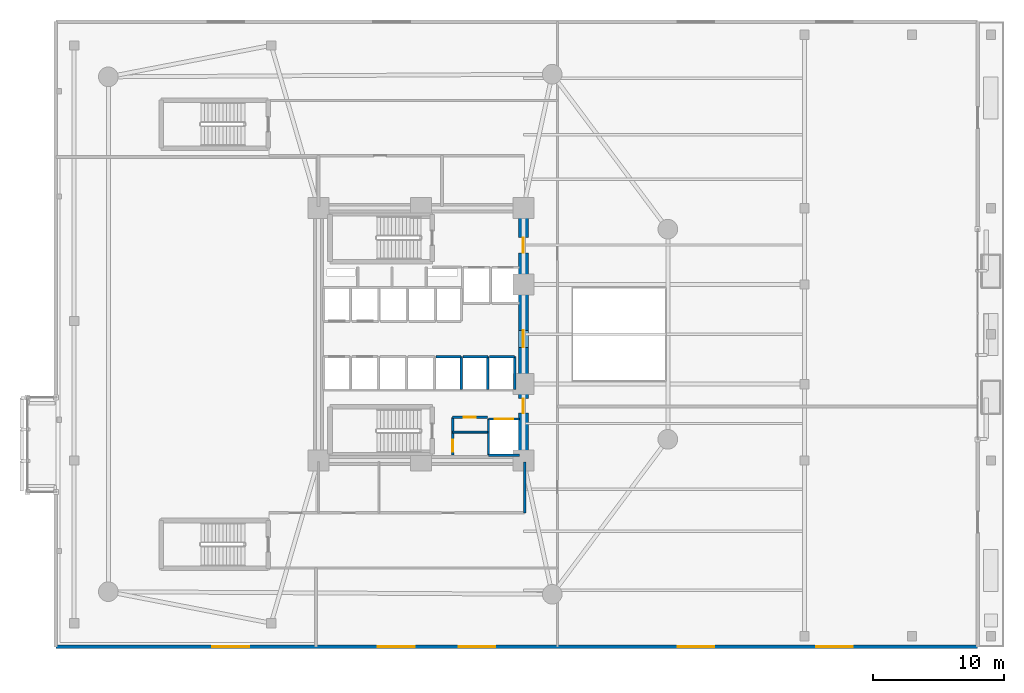
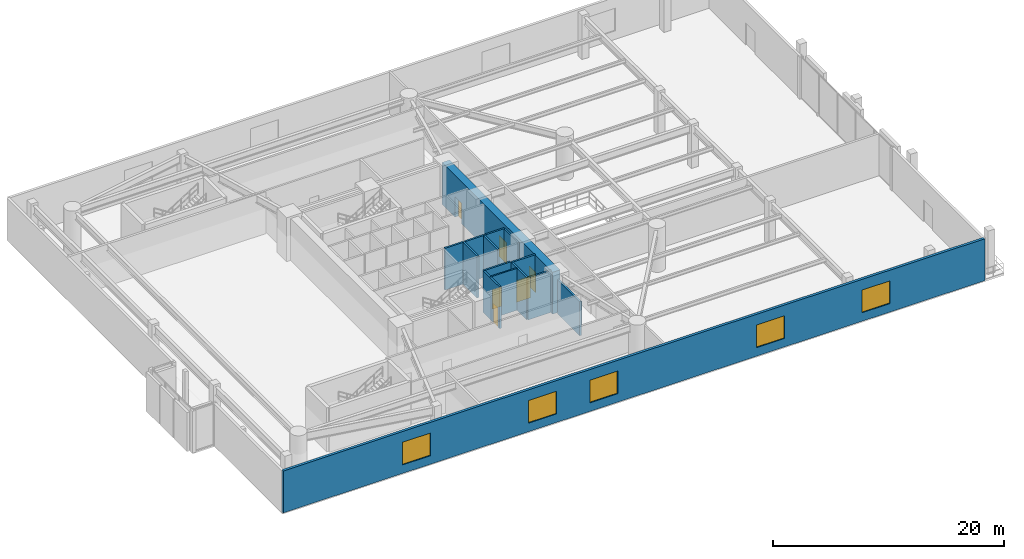
# One storey, part 10 of 16: 15 walls, 6 doors, 5 windows, 11 openings.
"""IFC4 building model written with IfcOpenShell, lengths in metres."""

import ifcopenshell
import ifcopenshell.guid

model = None  # the IFC model being written
_history = None  # IfcOwnerHistory: only IFC2X3 demands one
_inside = {}  # id of a spatial element -> (the spatial element, [elements in it])
_under = {}  # id of a project, library or spatial element -> (it, [spatial elements below it])
_declared = {}  # id of a project -> (the project, [libraries it declares])
_typed = {}  # id of a type object -> (the type object, [elements of that type])
_made_of = {}  # id of a material, layer set ... -> (it, [elements and type objects made of it])


def new_model(schema):
    """Start an empty IFC model of exactly this schema.

    Asked for "IFC4X3", IfcOpenShell would pick the latest addendum, in which some entities
    have other attributes; the version numbers below select the first issue.
    IFC2X3 requires an IfcOwnerHistory on every rooted entity: one is made here for all.
    """
    global model, _history
    if schema == "IFC4X3":
        model = ifcopenshell.file(schema_version=(4, 3, 0, 0))
    else:
        model = ifcopenshell.file(schema=schema)
    _inside.clear()
    _under.clear()
    _declared.clear()
    _typed.clear()
    _made_of.clear()
    _history = None
    if model.schema == "IFC2X3":
        org = make("IfcOrganization", Name="unknown")
        user = make(
            "IfcPersonAndOrganization",
            ThePerson=make("IfcPerson", FamilyName="unknown"),
            TheOrganization=org,
        )
        app = make(
            "IfcApplication",
            ApplicationDeveloper=org,
            Version="unknown",
            ApplicationFullName="unknown",
            ApplicationIdentifier="unknown",
        )
        _history = make(
            "IfcOwnerHistory",
            OwningUser=user,
            OwningApplication=app,
            ChangeAction="ADDED",
            CreationDate=0,
        )
    return model


def make(cls, **values):
    """One entity of the class cls with the attributes given. An attribute that is None is left unset."""
    return model.create_entity(
        cls, **{name: value for name, value in values.items() if value is not None}
    )


def rooted(cls, **values):
    """An entity with a GlobalId (a new one), such as an element, a storey or a relation."""
    return make(cls, GlobalId=ifcopenshell.guid.new(), OwnerHistory=_history, **values)


def si_unit(unit_type, name, prefix=None):
    """IfcSIUnit, for example si_unit("LENGTHUNIT", "METRE", prefix="MILLI")."""
    return make("IfcSIUnit", UnitType=unit_type, Prefix=prefix, Name=name)


def assignment(units):
    """IfcUnitAssignment: the units of a project."""
    return None if units is None else make("IfcUnitAssignment", Units=units)


def point(xyz):
    """IfcCartesianPoint."""
    return None if xyz is None else make("IfcCartesianPoint", Coordinates=xyz)


def direction(xyz):
    """IfcDirection."""
    return None if xyz is None else make("IfcDirection", DirectionRatios=xyz)


def frame(location, z_axis=None, x_axis=None):
    """IfcAxis2Placement3D, a coordinate frame: its origin and axes. An axis left out is left unset."""
    return make(
        "IfcAxis2Placement3D",
        Location=point(location),
        Axis=direction(z_axis),
        RefDirection=direction(x_axis),
    )


def frame_2d(location, x_axis=None):
    """IfcAxis2Placement2D, a coordinate frame in the plane: its origin and x axis."""
    return make(
        "IfcAxis2Placement2D", Location=point(location), RefDirection=direction(x_axis)
    )


def origin():
    """The frame at (0, 0, 0) with its axes left unset."""
    return frame((0.0, 0.0, 0.0))


def place(relative_to, where):
    """IfcLocalPlacement: puts the frame where relative to a parent placement (None: the world)."""
    return make(
        "IfcLocalPlacement", PlacementRelTo=relative_to, RelativePlacement=where
    )


def context(
    kind, dimensions, precision=None, world=None, true_north=None, identifier=None
):
    """IfcGeometricRepresentationContext, for example the 3D "Model" context."""
    return make(
        "IfcGeometricRepresentationContext",
        ContextIdentifier=identifier,
        ContextType=kind,
        CoordinateSpaceDimension=dimensions,
        Precision=precision,
        WorldCoordinateSystem=world,
        TrueNorth=true_north,
    )


def subcontext(parent, identifier, kind, view, scale=None):
    """IfcGeometricRepresentationSubContext, for example "Body" below "Model"."""
    return make(
        "IfcGeometricRepresentationSubContext",
        ContextIdentifier=identifier,
        ContextType=kind,
        ParentContext=parent,
        TargetScale=scale,
        TargetView=view,
    )


def project(units=None, contexts=None):
    """IfcProject with its units and contexts."""
    return rooted(
        "IfcProject",
        Name="project",
        RepresentationContexts=contexts,
        UnitsInContext=assignment(units),
    )


def spatial(cls, under=None, at=None, **own):
    """A site, building, storey or space (cls), placed at a placement, below another one or the project."""
    s = rooted(cls, ObjectPlacement=at, **own)
    if under is not None:
        _under.setdefault(under.id(), (under, []))[1].append(s)
    return s


def profile(cls, at=None, kind="AREA", **sizes):
    """A parametric profile (cls). Its sizes go by their IFC names, for example OverallWidth=200.0."""
    return make(cls, ProfileType=kind, Position=at, **sizes)


def rectangle(**sizes):
    """IfcRectangleProfileDef."""
    return profile("IfcRectangleProfileDef", **sizes)


def extrude(swept, where, along, depth):
    """IfcExtrudedAreaSolid: the profile swept, set in the frame where, extruded along a direction by depth."""
    return make(
        "IfcExtrudedAreaSolid",
        SweptArea=swept,
        Position=where,
        ExtrudedDirection=direction(along),
        Depth=depth,
    )


def shape(context_of_items, identifier, shape_type, items):
    """IfcShapeRepresentation: the items that make up one representation, for example the "Body"."""
    return make(
        "IfcShapeRepresentation",
        ContextOfItems=context_of_items,
        RepresentationIdentifier=identifier,
        RepresentationType=shape_type,
        Items=items,
    )


def material(Name=None, Category=None):
    """IfcMaterial."""
    return make("IfcMaterial", Name=Name, Category=Category)


def layer(
    of_material, thickness, ventilated=None, Name=None, Category=None, Priority=None
):
    """IfcMaterialLayer: one layer of a wall or slab, of a material (None: an air gap)."""
    return make(
        "IfcMaterialLayer",
        Material=of_material,
        LayerThickness=thickness,
        IsVentilated=ventilated,
        Name=Name,
        Category=Category,
        Priority=Priority,
    )


def layer_set(layers, Name=None):
    """IfcMaterialLayerSet."""
    return make("IfcMaterialLayerSet", MaterialLayers=layers, LayerSetName=Name)


def made_of(thing, what):
    """Note that an element or type object is made of a material, layer set ...; save() writes the relation."""
    if what is not None:
        _made_of.setdefault(what.id(), (what, []))[1].append(thing)
    return thing


def type_object(cls, material=None, **own):
    """A type object (cls), such as IfcWallType, which elements share."""
    return made_of(rooted(cls, **own), material)


def element(
    cls,
    number,
    at=None,
    inside=None,
    cuts=None,
    type_object=None,
    material=None,
    context=None,
    identifier="Body",
    shape_type=None,
    held_by="IfcProductDefinitionShape",
    body=None,
    shapes=None,
    **own,
):
    """One element of the class cls, such as IfcWall. Its Tag is "e" and its number.

    at: its placement. inside: the storey or other place that contains it. cuts: it is an
    opening in that element (IfcRelVoidsElement). A single representation is given by context,
    identifier, shape_type and body (its items); several are given by shapes. held_by: the class
    of the entity that holds the representations. save() writes the other relations.
    """
    e = rooted(cls, Tag="e%d" % number, ObjectPlacement=at, **own)
    if body is not None:
        shapes = [shape(context, identifier, shape_type, body)]
    if shapes is not None:
        e.Representation = make(held_by, Representations=shapes)
    if inside is not None:
        _inside.setdefault(inside.id(), (inside, []))[1].append(e)
    if cuts is not None:
        rooted(
            "IfcRelVoidsElement", RelatingBuildingElement=cuts, RelatedOpeningElement=e
        )
    if type_object is not None:
        _typed.setdefault(type_object.id(), (type_object, []))[1].append(e)
    return made_of(e, material)


def fill(opening, filler):
    """IfcRelFillsElement: the door or window that sits in an opening."""
    return rooted(
        "IfcRelFillsElement",
        RelatingOpeningElement=opening,
        RelatedBuildingElement=filler,
    )


def aggregate(whole, parts):
    """IfcRelAggregates: a whole, such as a stair, and the parts it consists of."""
    return rooted("IfcRelAggregates", RelatingObject=whole, RelatedObjects=parts)


def save(model, path):
    """Write the relations noted so far, then the file.

    IfcRelAggregates (storeys below a building ...), IfcRelContainedInSpatialStructure (elements
    in a storey), IfcRelDefinesByType, IfcRelAssociatesMaterial and IfcRelDeclares: one each for
    every whole, place, type object, material and project.
    """
    for whole, parts in _under.values():
        aggregate(whole, parts)
    for where, things in _inside.values():
        rooted(
            "IfcRelContainedInSpatialStructure",
            RelatedElements=things,
            RelatingStructure=where,
        )
    for kind, things in _typed.values():
        rooted("IfcRelDefinesByType", RelatedObjects=things, RelatingType=kind)
    for what, things in _made_of.values():
        rooted("IfcRelAssociatesMaterial", RelatedObjects=things, RelatingMaterial=what)
    for by, libraries in _declared.values():
        rooted("IfcRelDeclares", RelatingContext=by, RelatedDefinitions=libraries)
    model.write(path)


model = new_model("IFC4")

# Units and contexts
model_context = context("Model", 3, precision=1e-05, world=origin(), true_north=direction((0.0, 1.0)))
body_context = subcontext(model_context, "Body", "Model", "MODEL_VIEW")
ifc_project = project(units=[si_unit("LENGTHUNIT", "METRE"), si_unit("AREAUNIT", "SQUARE_METRE"), si_unit("VOLUMEUNIT", "CUBIC_METRE"), si_unit("PLANEANGLEUNIT", "RADIAN"), si_unit("MASSUNIT", "GRAM", prefix="KILO")], contexts=[model_context])

# Site, building, storey
site_placement = place(None, origin())
site = spatial("IfcSite", under=ifc_project, at=site_placement, CompositionType="ELEMENT")
building_placement = place(site_placement, origin())
building = spatial("IfcBuilding", under=site, at=building_placement, Name="An Khanh Terracotta Commons", CompositionType="ELEMENT")
storey_placement = place(building_placement, frame((0.0, 0.0, 5.39990234375)))
storey = spatial("IfcBuildingStorey", under=building, at=storey_placement, Name="L02", CompositionType="ELEMENT", Elevation=5.39990234375)

# Wall, openings, doors
ifc_material_1 = material(Name="Concrete C70/85", Category="concrete")
ifc_layer_1 = layer(ifc_material_1, 0.75, Name="Concrete C70/85")
ifc_layer_set_1 = layer_set([ifc_layer_1], Name="Concrete C70/85")
wall_type_1 = type_object("IfcWallType", Name="WALL-CORE-750", PredefinedType="SHEAR", material=ifc_layer_set_1)
wall_1_placement = place(storey_placement, frame((37.199951171875, 14.39990234375, 0.0), z_axis=(0.0, 0.0, 1.0), x_axis=(0.0, 1.0, 0.0)))
wall_1 = element("IfcWall", 1, at=wall_1_placement, inside=storey, type_object=wall_type_1, Name="L02 Core Wall CWALL-L02-E", PredefinedType="SHEAR", context=body_context, shape_type="SweptSolid", body=[
    extrude(rectangle(XDim=19.2001953125, YDim=0.75, at=frame_2d((9.60009765625, 0.0))), origin(), (0.0, 0.0, 1.0), 4.43017578125),
])
opening_1_placement = place(wall_1_placement, frame((15.800048828125, 0.0, 0.0)))
opening_1 = element("IfcOpeningElement", 2, at=opening_1_placement, cuts=wall_1, Name="Opening D-FFL", PredefinedType="OPENING", context=body_context, shape_type="SweptSolid", body=[
    extrude(rectangle(XDim=1.14990234375, YDim=2.14990234375, at=frame_2d((0.574951171875, 1.074951171875))), frame((0.0, 0.385009765625, 0.0), z_axis=(0.0, -1.0, 0.0), x_axis=(1.0, 0.0, 0.0)), (0.0, 0.0, 1.0), 0.77001953125),
])
opening_2_placement = place(wall_1_placement, frame((3.60009765625, 0.0, 0.0)))
opening_2 = element("IfcOpeningElement", 3, at=opening_2_placement, cuts=wall_1, Name="Opening D-ST", PredefinedType="OPENING", context=body_context, shape_type="SweptSolid", body=[
    extrude(rectangle(XDim=1.10009765625, YDim=2.14990234375, at=frame_2d((0.550048828125, 1.074951171875))), frame((0.0, 0.385009765625, 0.0), z_axis=(0.0, -1.0, 0.0), x_axis=(1.0, 0.0, 0.0)), (0.0, 0.0, 1.0), 0.77001953125),
])
opening_3_placement = place(wall_1_placement, frame((8.60009765625, 0.0, 0.0)))
opening_3 = element("IfcOpeningElement", 4, at=opening_3_placement, cuts=wall_1, Name="Opening D-COR", PredefinedType="OPENING", context=body_context, shape_type="SweptSolid", body=[
    extrude(rectangle(XDim=1.300048828125, YDim=2.199951171875, at=frame_2d((0.64990234375, 1.10009765625))), frame((0.0, 0.385009765625, 0.0), z_axis=(0.0, -1.0, 0.0), x_axis=(1.0, 0.0, 0.0)), (0.0, 0.0, 1.0), 0.77001953125),
])
ifc_material_2 = material(Name="Fire-Rated Glazed Steel Double Door", Category="steel")
door_type_1 = type_object("IfcDoorType", Name="DOOR-CORR-1300", OperationType="NOTDEFINED", PredefinedType="DOOR", material=ifc_material_2)
door_1_placement = place(opening_3_placement, origin())
door_1 = element("IfcDoor", 5, at=door_1_placement, inside=storey, type_object=door_type_1, Name="L02 Passenger Lift Lobby Double Door", OperationType="DOUBLE_DOOR_SINGLE_SWING", OverallHeight=2.199951171875, OverallWidth=1.300048828125, PredefinedType="DOOR", context=body_context, shape_type="SweptSolid", body=[
    extrude(rectangle(XDim=1.300048828125, YDim=2.199951171875, at=frame_2d((0.64990234375, 1.10009765625))), frame((0.0, 0.02490234375, 0.0), z_axis=(0.0, -1.0, 0.0), x_axis=(1.0, 0.0, 0.0)), (0.0, 0.0, 1.0), 0.050048828125),
])
fill(opening_3, door_1)
ifc_material_3 = material(Name="Fire-Rated Steel Leaf and Vision Panel", Category="steel")
door_type_2 = type_object("IfcDoorType", Name="DOOR-FFL-1150", OperationType="NOTDEFINED", PredefinedType="DOOR", material=ifc_material_3)
door_2_placement = place(opening_1_placement, origin())
door_2 = element("IfcDoor", 6, at=door_2_placement, inside=storey, type_object=door_type_2, Name="L02 Firefighting Lift Lobby Fire Door", OperationType="SINGLE_SWING_LEFT", OverallHeight=2.14990234375, OverallWidth=1.14990234375, PredefinedType="DOOR", context=body_context, shape_type="SweptSolid", body=[
    extrude(rectangle(XDim=1.14990234375, YDim=2.14990234375, at=frame_2d((0.574951171875, 1.074951171875))), frame((0.0, 0.02490234375, 0.0), z_axis=(0.0, -1.0, 0.0), x_axis=(1.0, 0.0, 0.0)), (0.0, 0.0, 1.0), 0.050048828125),
])
fill(opening_1, door_2)
ifc_material_4 = material(Name="Fire-Rated Steel Leaf and Frame", Category="steel")
door_type_3 = type_object("IfcDoorType", Name="DOOR-STAIR-1100", OperationType="NOTDEFINED", PredefinedType="DOOR", material=ifc_material_4)
door_3_placement = place(opening_2_placement, origin())
door_3 = element("IfcDoor", 7, at=door_3_placement, inside=storey, type_object=door_type_3, Name="L02 South Stair Lobby Fire Door", OperationType="SINGLE_SWING_RIGHT", OverallHeight=2.14990234375, OverallWidth=1.10009765625, PredefinedType="DOOR", context=body_context, shape_type="SweptSolid", body=[
    extrude(rectangle(XDim=1.10009765625, YDim=2.14990234375, at=frame_2d((0.550048828125, 1.074951171875))), frame((0.0, 0.02490234375, 0.0), z_axis=(0.0, -1.0, 0.0), x_axis=(1.0, 0.0, 0.0)), (0.0, 0.0, 1.0), 0.050048828125),
])
fill(opening_2, door_3)

# Wall, opening, door
ifc_material_5 = material(Name="Fire-Rated Gypsum Board on Steel Stud", Category="steel")
ifc_layer_2 = layer(ifc_material_5, 0.179931640625, Name="Fire-Rated Gypsum Board on Steel Stud")
ifc_layer_set_2 = layer_set([ifc_layer_2], Name="Fire-Rated Gypsum Board on Steel Stud")
wall_type_2 = type_object("IfcWallType", Name="WALL-CORR-180", PredefinedType="PARTITIONING", material=ifc_layer_set_2)
wall_2_placement = place(storey_placement, frame((31.820068359375, 17.679931640625, 0.0), z_axis=(0.0, 0.0, 1.0), x_axis=(1.0, 0.0, 0.0)))
wall_2 = element("IfcWall", 8, at=wall_2_placement, inside=storey, type_object=wall_type_2, Name="L02 Core Wall SSVCW-L02-N", PredefinedType="PARTITIONING", context=body_context, shape_type="SweptSolid", body=[
    extrude(rectangle(XDim=2.659912109375, YDim=0.179931640625, at=frame_2d((1.330078125, 0.0))), origin(), (0.0, 0.0, 1.0), 4.43017578125),
])
opening_4_placement = place(wall_2_placement, frame((0.85009765625, 0.0, 0.0)))
opening_4 = element("IfcOpeningElement", 9, at=opening_4_placement, cuts=wall_2, Name="Opening D-SV", PredefinedType="OPENING", context=body_context, shape_type="SweptSolid", body=[
    extrude(rectangle(XDim=0.89990234375, YDim=2.050048828125, at=frame_2d((0.449951171875, 1.02490234375))), frame((0.0, 0.099853515625, 0.0), z_axis=(0.0, -1.0, 0.0), x_axis=(1.0, 0.0, 0.0)), (0.0, 0.0, 1.0), 0.199951171875),
])
ifc_material_6 = material(Name="Fire-Rated Powder-Coated Steel Door", Category="steel")
door_type_4 = type_object("IfcDoorType", Name="DOOR-SERV-900", OperationType="NOTDEFINED", PredefinedType="DOOR", material=ifc_material_6)
door_4_placement = place(opening_4_placement, origin())
door_4 = element("IfcDoor", 10, at=door_4_placement, inside=storey, type_object=door_type_4, Name="L02 Core Cleaner Store Door", OperationType="SINGLE_SWING_LEFT", OverallHeight=2.050048828125, OverallWidth=0.89990234375, PredefinedType="DOOR", context=body_context, shape_type="SweptSolid", body=[
    extrude(rectangle(XDim=0.89990234375, YDim=2.050048828125, at=frame_2d((0.449951171875, 1.02490234375))), frame((0.0, 0.02490234375, 0.0), z_axis=(0.0, -1.0, 0.0), x_axis=(1.0, 0.0, 0.0)), (0.0, 0.0, 1.0), 0.050048828125),
])
fill(opening_4, door_4)

wall_3_placement = place(storey_placement, frame((31.820068359375, 14.800048828125, 0.0), z_axis=(0.0, 0.0, 1.0), x_axis=(0.0, 1.0, 0.0)))
wall_3 = element("IfcWall", 11, at=wall_3_placement, inside=storey, type_object=wall_type_2, Name="L02 Core Wall SSVCW-L02-W", PredefinedType="PARTITIONING", context=body_context, shape_type="SweptSolid", body=[
    extrude(rectangle(XDim=2.8798828125, YDim=0.179931640625, at=frame_2d((1.43994140625, 0.0))), origin(), (0.0, 0.0, 1.0), 4.43017578125),
])
opening_5_placement = place(wall_3_placement, frame((0.260009765625, 0.0, 0.0)))
opening_5 = element("IfcOpeningElement", 12, at=opening_5_placement, cuts=wall_3, Name="Opening D-SV", PredefinedType="OPENING", context=body_context, shape_type="SweptSolid", body=[
    extrude(rectangle(XDim=0.89990234375, YDim=2.050048828125, at=frame_2d((0.449951171875, 1.02490234375))), frame((0.0, 0.099853515625, 0.0), z_axis=(0.0, -1.0, 0.0), x_axis=(1.0, 0.0, 0.0)), (0.0, 0.0, 1.0), 0.199951171875),
])
door_5_placement = place(opening_5_placement, origin())
door_5 = element("IfcDoor", 13, at=door_5_placement, inside=storey, type_object=door_type_4, Name="L02 Telecoms BMS Cupboard Door", OperationType="SINGLE_SWING_RIGHT", OverallHeight=2.050048828125, OverallWidth=0.89990234375, PredefinedType="DOOR", context=body_context, shape_type="SweptSolid", body=[
    extrude(rectangle(XDim=0.89990234375, YDim=2.050048828125, at=frame_2d((0.449951171875, 1.02490234375))), frame((0.0, 0.02490234375, 0.0), z_axis=(0.0, -1.0, 0.0), x_axis=(1.0, 0.0, 0.0)), (0.0, 0.0, 1.0), 0.050048828125),
])
fill(opening_5, door_5)

wall_4_placement = place(storey_placement, frame((34.550048828125, 17.550048828125, 0.0), z_axis=(0.0, 0.0, 1.0), x_axis=(1.0, 0.0, 0.0)))
wall_4 = element("IfcWall", 14, at=wall_4_placement, inside=storey, type_object=wall_type_2, Name="L02 Core Wall LSH-L02-SVL-01-N", PredefinedType="PARTITIONING", context=body_context, shape_type="SweptSolid", body=[
    extrude(rectangle(XDim=2.349853515625, YDim=0.179931640625, at=frame_2d((1.1748046875, 0.0))), origin(), (0.0, 0.0, 1.0), 4.43017578125),
])
opening_6_placement = place(wall_4_placement, frame((0.47509765625, 0.0, 0.0)))
opening_6 = element("IfcOpeningElement", 15, at=opening_6_placement, cuts=wall_4, Name="Opening LD-SVL-01-L02", PredefinedType="OPENING", context=body_context, shape_type="SweptSolid", body=[
    extrude(rectangle(XDim=1.39990234375, YDim=2.300048828125, at=frame_2d((0.699951171875, 1.14990234375))), frame((0.0, 0.099853515625, 0.0), z_axis=(0.0, -1.0, 0.0), x_axis=(1.0, 0.0, 0.0)), (0.0, 0.0, 1.0), 0.199951171875),
])
ifc_material_7 = material(Name="Heavy-Duty Stainless Steel Goods Landing Door", Category="steel")
door_type_5 = type_object("IfcDoorType", Name="DOOR-LD-SVL-1400", OperationType="NOTDEFINED", PredefinedType="DOOR", material=ifc_material_7)
door_6_placement = place(opening_6_placement, origin())
door_6 = element("IfcDoor", 16, at=door_6_placement, inside=storey, type_object=door_type_5, Name="L02 Lift SVL-01 Sliding Landing Door", OperationType="DOUBLE_DOOR_SLIDING", OverallHeight=2.300048828125, OverallWidth=1.39990234375, PredefinedType="DOOR", context=body_context, shape_type="SweptSolid", body=[
    extrude(rectangle(XDim=1.39990234375, YDim=2.300048828125, at=frame_2d((0.699951171875, 1.14990234375))), frame((0.0, 0.02490234375, 0.0), z_axis=(0.0, -1.0, 0.0), x_axis=(1.0, 0.0, 0.0)), (0.0, 0.0, 1.0), 0.050048828125),
])
fill(opening_6, door_6)

# Walls
wall_5_placement = place(storey_placement, frame((36.89990234375, 14.800048828125, 0.0), z_axis=(0.0, 0.0, 1.0), x_axis=(-1.0, 0.0, 0.0)))
element("IfcWall", 17, at=wall_5_placement, inside=storey, type_object=wall_type_2, Name="L02 Core Wall LSH-L02-SVL-01-S", PredefinedType="PARTITIONING", context=body_context, shape_type="SweptSolid", body=[
    extrude(rectangle(XDim=2.349853515625, YDim=0.179931640625, at=frame_2d((1.1748046875, 0.0))), origin(), (0.0, 0.0, 1.0), 4.43017578125),
])
wall_6_placement = place(storey_placement, frame((34.550048828125, 17.550048828125, 0.0), z_axis=(0.0, 0.0, 1.0), x_axis=(0.0, -1.0, 0.0)))
element("IfcWall", 18, at=wall_6_placement, inside=storey, type_object=wall_type_2, Name="L02 Core Wall LSH-L02-SVL-01-W", PredefinedType="PARTITIONING", context=body_context, shape_type="SweptSolid", body=[
    extrude(rectangle(XDim=2.75, YDim=0.179931640625, at=frame_2d((1.375, 0.0))), origin(), (0.0, 0.0, 1.0), 4.43017578125),
])
wall_7_placement = place(storey_placement, frame((30.56005859375, 22.300048828125, 0.0), z_axis=(0.0, 0.0, 1.0), x_axis=(1.0, 0.0, 0.0)))
element("IfcWall", 19, at=wall_7_placement, inside=storey, type_object=wall_type_2, Name="L02 Core Wall LSH-L02-PL-H2-N", PredefinedType="PARTITIONING", context=body_context, shape_type="SweptSolid", body=[
    extrude(rectangle(XDim=1.89990234375, YDim=0.179931640625, at=frame_2d((0.949951171875, 0.0))), origin(), (0.0, 0.0, 1.0), 4.43017578125),
])
wall_8_placement = place(storey_placement, frame((32.4599609375, 19.800048828125, 0.0), z_axis=(0.0, 0.0, 1.0), x_axis=(0.0, 1.0, 0.0)))
element("IfcWall", 20, at=wall_8_placement, inside=storey, type_object=wall_type_2, Name="L02 Core Wall LSH-L02-PL-H2-E", PredefinedType="PARTITIONING", context=body_context, shape_type="SweptSolid", body=[
    extrude(rectangle(XDim=2.5, YDim=0.179931640625, at=frame_2d((1.25, 0.0))), origin(), (0.0, 0.0, 1.0), 4.43017578125),
])
wall_9_placement = place(storey_placement, frame((32.60009765625, 22.300048828125, 0.0), z_axis=(0.0, 0.0, 1.0), x_axis=(1.0, 0.0, 0.0)))
element("IfcWall", 21, at=wall_9_placement, inside=storey, type_object=wall_type_2, Name="L02 Core Wall LSH-L02-PL-H3-N", PredefinedType="PARTITIONING", context=body_context, shape_type="SweptSolid", body=[
    extrude(rectangle(XDim=1.89990234375, YDim=0.179931640625, at=frame_2d((0.949951171875, 0.0))), origin(), (0.0, 0.0, 1.0), 4.43017578125),
])
wall_10_placement = place(storey_placement, frame((34.5, 19.800048828125, 0.0), z_axis=(0.0, 0.0, 1.0), x_axis=(0.0, 1.0, 0.0)))
element("IfcWall", 22, at=wall_10_placement, inside=storey, type_object=wall_type_2, Name="L02 Core Wall LSH-L02-PL-H3-E", PredefinedType="PARTITIONING", context=body_context, shape_type="SweptSolid", body=[
    extrude(rectangle(XDim=2.5, YDim=0.179931640625, at=frame_2d((1.25, 0.0))), origin(), (0.0, 0.0, 1.0), 4.43017578125),
])
wall_11_placement = place(storey_placement, frame((34.639892578125, 22.300048828125, 0.0), z_axis=(0.0, 0.0, 1.0), x_axis=(1.0, 0.0, 0.0)))
element("IfcWall", 23, at=wall_11_placement, inside=storey, type_object=wall_type_2, Name="L02 Core Wall LSH-L02-PL-H4-N", PredefinedType="PARTITIONING", context=body_context, shape_type="SweptSolid", body=[
    extrude(rectangle(XDim=1.900146484375, YDim=0.179931640625, at=frame_2d((0.9501953125, 0.0))), origin(), (0.0, 0.0, 1.0), 4.43017578125),
])
wall_12_placement = place(storey_placement, frame((36.5400390625, 19.800048828125, 0.0), z_axis=(0.0, 0.0, 1.0), x_axis=(0.0, 1.0, 0.0)))
element("IfcWall", 24, at=wall_12_placement, inside=storey, type_object=wall_type_2, Name="L02 Core Wall LSH-L02-PL-H4-E", PredefinedType="PARTITIONING", context=body_context, shape_type="SweptSolid", body=[
    extrude(rectangle(XDim=2.5, YDim=0.179931640625, at=frame_2d((1.25, 0.0))), origin(), (0.0, 0.0, 1.0), 4.43017578125),
])
wall_13_placement = place(storey_placement, frame((37.31005859375, 10.39990234375, 0.0), z_axis=(0.0, 0.0, 1.0), x_axis=(0.0, 1.0, 0.0)))
element("IfcWall", 25, at=wall_13_placement, inside=storey, type_object=wall_type_2, Name="L02 Interior Partition IW-L02-E012", PredefinedType="PARTITIONING", context=body_context, shape_type="SweptSolid", body=[
    extrude(rectangle(XDim=3.880126953125, YDim=0.179931640625, at=frame_2d((1.93994140625, 0.0))), origin(), (0.0, 0.0, 1.0), 3.612060546875),
])
ifc_material_8 = material(Name="Acoustic Gypsum Board Partition")
ifc_layer_3 = layer(ifc_material_8, 0.14990234375, Name="Acoustic Gypsum Board Partition")
ifc_layer_set_3 = layer_set([ifc_layer_3], Name="Acoustic Gypsum Board Partition")
wall_type_3 = type_object("IfcWallType", Name="WALL-PART-150", PredefinedType="PARTITIONING", material=ifc_layer_set_3)
wall_14_placement = place(storey_placement, frame((31.820068359375, 16.550048828125, 0.0), z_axis=(0.0, 0.0, 1.0), x_axis=(1.0, 0.0, 0.0)))
element("IfcWall", 26, at=wall_14_placement, inside=storey, type_object=wall_type_3, Name="L02 Core Wall SSVCW-L02-M", PredefinedType="PARTITIONING", context=body_context, shape_type="SweptSolid", body=[
    extrude(rectangle(XDim=2.659912109375, YDim=0.14990234375, at=frame_2d((1.330078125, 0.0))), origin(), (0.0, 0.0, 1.0), 4.43017578125),
])

# Wall, openings, windows
ifc_material_9 = material(Name="Concrete C40/50", Category="concrete")
ifc_layer_4 = layer(ifc_material_9, 0.260009765625, Name="Concrete C40/50")
ifc_layer_set_4 = layer_set([ifc_layer_4], Name="Concrete C40/50")
wall_type_4 = type_object("IfcWallType", Name="WALL-POD-260", PredefinedType="SOLIDWALL", material=ifc_layer_set_4)
wall_15_placement = place(storey_placement, frame((71.800048828125, 0.199951171875, 0.0), z_axis=(0.0, 0.0, 1.0), x_axis=(-1.0, 0.0, 0.0)))
wall_15 = element("IfcWall", 27, at=wall_15_placement, inside=storey, type_object=wall_type_4, Name="L02 South Exterior Wall", PredefinedType="SOLIDWALL", context=body_context, shape_type="SweptSolid", body=[
    extrude(rectangle(XDim=70.199951171875, YDim=0.260009765625, at=frame_2d((35.10009765625, 0.0))), origin(), (0.0, 0.0, 1.0), 4.43017578125),
])
opening_7_placement = place(wall_15_placement, frame((9.5, 0.0, 0.89990234375)))
opening_7 = element("IfcOpeningElement", 28, at=opening_7_placement, cuts=wall_15, Name="Opening W-08", PredefinedType="OPENING", context=body_context, shape_type="SweptSolid", body=[
    extrude(rectangle(XDim=2.800048828125, YDim=2.39990234375, at=frame_2d((1.39990234375, 1.199951171875))), frame((0.0, 0.139892578125, 0.0), z_axis=(0.0, -1.0, 0.0), x_axis=(1.0, 0.0, 0.0)), (0.0, 0.0, 1.0), 0.280029296875),
])
opening_8_placement = place(wall_15_placement, frame((20.050048828125, 0.0, 0.89990234375)))
opening_8 = element("IfcOpeningElement", 29, at=opening_8_placement, cuts=wall_15, Name="Opening W-08", PredefinedType="OPENING", context=body_context, shape_type="SweptSolid", body=[
    extrude(rectangle(XDim=2.800048828125, YDim=2.39990234375, at=frame_2d((1.39990234375, 1.199951171875))), frame((0.0, 0.139892578125, 0.0), z_axis=(0.0, -1.0, 0.0), x_axis=(1.0, 0.0, 0.0)), (0.0, 0.0, 1.0), 0.280029296875),
])
opening_9_placement = place(wall_15_placement, frame((36.73291015625, 0.0, 0.89990234375)))
opening_9 = element("IfcOpeningElement", 30, at=opening_9_placement, cuts=wall_15, Name="Opening W-08", PredefinedType="OPENING", context=body_context, shape_type="SweptSolid", body=[
    extrude(rectangle(XDim=2.800048828125, YDim=2.39990234375, at=frame_2d((1.39990234375, 1.199951171875))), frame((0.0, 0.139892578125, 0.0), z_axis=(0.0, -1.0, 0.0), x_axis=(1.0, 0.0, 0.0)), (0.0, 0.0, 1.0), 0.280029296875),
])
opening_10_placement = place(wall_15_placement, frame((42.866943359375, 0.0, 0.89990234375)))
opening_10 = element("IfcOpeningElement", 31, at=opening_10_placement, cuts=wall_15, Name="Opening W-08", PredefinedType="OPENING", context=body_context, shape_type="SweptSolid", body=[
    extrude(rectangle(XDim=2.800048828125, YDim=2.39990234375, at=frame_2d((1.39990234375, 1.199951171875))), frame((0.0, 0.139892578125, 0.0), z_axis=(0.0, -1.0, 0.0), x_axis=(1.0, 0.0, 0.0)), (0.0, 0.0, 1.0), 0.280029296875),
])
opening_11_placement = place(wall_15_placement, frame((55.48291015625, 0.0, 0.89990234375)))
opening_11 = element("IfcOpeningElement", 32, at=opening_11_placement, cuts=wall_15, Name="Opening W-08", PredefinedType="OPENING", context=body_context, shape_type="SweptSolid", body=[
    extrude(rectangle(XDim=2.800048828125, YDim=2.39990234375, at=frame_2d((1.39990234375, 1.199951171875))), frame((0.0, 0.139892578125, 0.0), z_axis=(0.0, -1.0, 0.0), x_axis=(1.0, 0.0, 0.0)), (0.0, 0.0, 1.0), 0.280029296875),
])
ifc_material_10 = material(Name="Thermally Broken Aluminium and Low-E Glass", Category="aluminium")
window_type = type_object("IfcWindowType", Name="WIN-POD-2800x2400", PartitioningType="TRIPLE_PANEL_VERTICAL", PredefinedType="WINDOW", material=ifc_material_10)
window_1_placement = place(opening_7_placement, origin())
window_1 = element("IfcWindow", 33, at=window_1_placement, inside=storey, type_object=window_type, Name="L02 South Podium Window 1", OverallHeight=2.39990234375, OverallWidth=2.800048828125, PartitioningType="TRIPLE_PANEL_VERTICAL", PredefinedType="WINDOW", context=body_context, shape_type="SweptSolid", body=[
    extrude(rectangle(XDim=2.800048828125, YDim=2.39990234375, at=frame_2d((1.39990234375, 1.199951171875))), frame((0.0, 0.030029296875, 0.0), z_axis=(0.0, -1.0, 0.0), x_axis=(1.0, 0.0, 0.0)), (0.0, 0.0, 1.0), 0.06005859375),
])
fill(opening_7, window_1)
window_2_placement = place(opening_8_placement, origin())
window_2 = element("IfcWindow", 34, at=window_2_placement, inside=storey, type_object=window_type, Name="L02 South Podium Window 2", OverallHeight=2.39990234375, OverallWidth=2.800048828125, PartitioningType="TRIPLE_PANEL_VERTICAL", PredefinedType="WINDOW", context=body_context, shape_type="SweptSolid", body=[
    extrude(rectangle(XDim=2.800048828125, YDim=2.39990234375, at=frame_2d((1.39990234375, 1.199951171875))), frame((0.0, 0.030029296875, 0.0), z_axis=(0.0, -1.0, 0.0), x_axis=(1.0, 0.0, 0.0)), (0.0, 0.0, 1.0), 0.06005859375),
])
fill(opening_8, window_2)
window_3_placement = place(opening_9_placement, origin())
window_3 = element("IfcWindow", 35, at=window_3_placement, inside=storey, type_object=window_type, Name="L02 South Podium Window 3", OverallHeight=2.39990234375, OverallWidth=2.800048828125, PartitioningType="TRIPLE_PANEL_VERTICAL", PredefinedType="WINDOW", context=body_context, shape_type="SweptSolid", body=[
    extrude(rectangle(XDim=2.800048828125, YDim=2.39990234375, at=frame_2d((1.39990234375, 1.199951171875))), frame((0.0, 0.030029296875, 0.0), z_axis=(0.0, -1.0, 0.0), x_axis=(1.0, 0.0, 0.0)), (0.0, 0.0, 1.0), 0.06005859375),
])
fill(opening_9, window_3)
window_4_placement = place(opening_10_placement, origin())
window_4 = element("IfcWindow", 36, at=window_4_placement, inside=storey, type_object=window_type, Name="L02 South Podium Window 4", OverallHeight=2.39990234375, OverallWidth=2.800048828125, PartitioningType="TRIPLE_PANEL_VERTICAL", PredefinedType="WINDOW", context=body_context, shape_type="SweptSolid", body=[
    extrude(rectangle(XDim=2.800048828125, YDim=2.39990234375, at=frame_2d((1.39990234375, 1.199951171875))), frame((0.0, 0.030029296875, 0.0), z_axis=(0.0, -1.0, 0.0), x_axis=(1.0, 0.0, 0.0)), (0.0, 0.0, 1.0), 0.06005859375),
])
fill(opening_10, window_4)
window_5_placement = place(opening_11_placement, origin())
window_5 = element("IfcWindow", 37, at=window_5_placement, inside=storey, type_object=window_type, Name="L02 South Podium Window 5", OverallHeight=2.39990234375, OverallWidth=2.800048828125, PartitioningType="TRIPLE_PANEL_VERTICAL", PredefinedType="WINDOW", context=body_context, shape_type="SweptSolid", body=[
    extrude(rectangle(XDim=2.800048828125, YDim=2.39990234375, at=frame_2d((1.39990234375, 1.199951171875))), frame((0.0, 0.030029296875, 0.0), z_axis=(0.0, -1.0, 0.0), x_axis=(1.0, 0.0, 0.0)), (0.0, 0.0, 1.0), 0.06005859375),
])
fill(opening_11, window_5)

save(model, "model.ifc")
